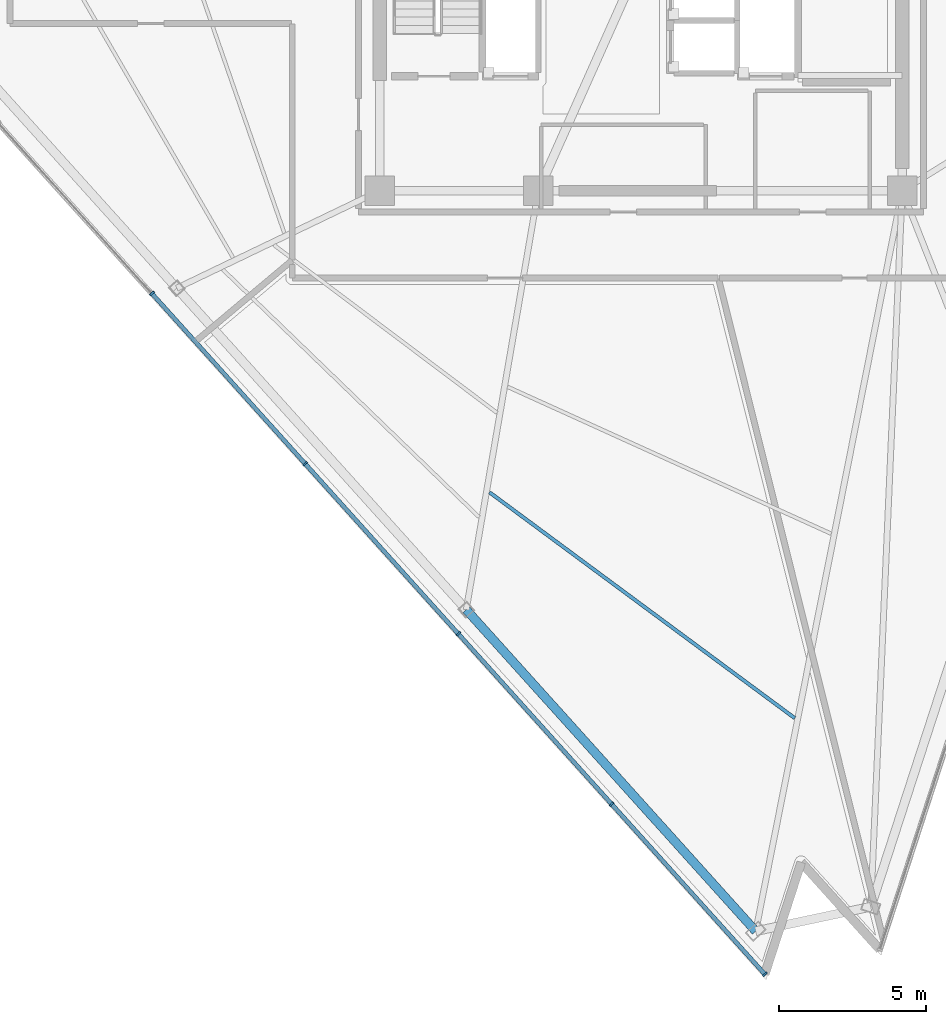
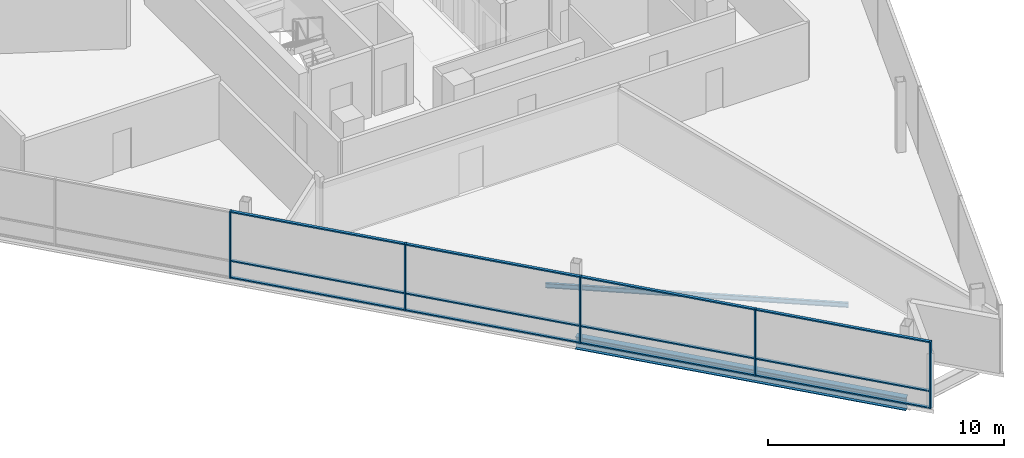
# One storey, part 2 of 15: 17 members, 2 beams, 1 element without a shape of its own.
"""IFC4 building model written with IfcOpenShell, lengths in metres."""

from ifc_helpers import new_model, si_unit, direction, frame, origin, origin_2d, place, context, subcontext, project, spatial, rectangle, i_section, extrude, material, layer, layer_set, material_profile, profile_set, type_object, element, aggregate, save


model = new_model("IFC4")

# Units and contexts
model_context = context("Model", 3, precision=1e-05, world=origin(), true_north=direction((0.0, 1.0)))
body_context = subcontext(model_context, "Body", "Model", "MODEL_VIEW")
ifc_project = project(units=[si_unit("LENGTHUNIT", "METRE"), si_unit("AREAUNIT", "SQUARE_METRE"), si_unit("VOLUMEUNIT", "CUBIC_METRE"), si_unit("PLANEANGLEUNIT", "RADIAN"), si_unit("MASSUNIT", "GRAM", prefix="KILO")], contexts=[model_context])

# Site, building, storey
site_placement = place(None, origin())
site = spatial("IfcSite", under=ifc_project, at=site_placement, CompositionType="ELEMENT")
building_placement = place(site_placement, origin())
building = spatial("IfcBuilding", under=site, at=building_placement, Name="Tharavind Bronze Gate", CompositionType="ELEMENT")
storey_placement = place(building_placement, frame((0.0, 0.0, 290.699951171875)))
storey = spatial("IfcBuildingStorey", under=building, at=storey_placement, Name="L75", CompositionType="ELEMENT", Elevation=290.699951171875)

# Curtain wall, members
ifc_material_1 = material(Name="Anodised Bronze Aluminium", Category="aluminium")
ifc_layer = layer(ifc_material_1, 0.219970703125)
ifc_layer_set = layer_set([ifc_layer], Name="Anodised Bronze Aluminium")
curtain_wall_type = type_object("IfcCurtainWallType", Name="UNITISED CURTAIN WALL CROWN", PredefinedType="USERDEFINED", material=ifc_layer_set)
curtain_wall_placement = place(storey_placement, origin())
curtain_wall = element("IfcCurtainWall", 1, at=curtain_wall_placement, inside=storey, type_object=curtain_wall_type, Name="L75 unitised curtain wall crown CW-L75-S1", ObjectType="UNITISED CURTAIN WALL", PredefinedType="USERDEFINED")
member_type_1 = type_object("IfcMemberType", Name="CURTAIN WALL BRONZE MULLION 65X180", PredefinedType="MULLION", material=ifc_material_1)
member_1_placement = place(storey_placement, frame((-16.663330078125, -11.101806640625, 0.0), z_axis=(0.0, 0.0, 1.0), x_axis=(0.669130606359, -0.743144825477, 0.0)))
member_1 = element("IfcMember", 2, at=member_1_placement, type_object=member_type_1, Name="CW-L75-S1 mullion 3", PredefinedType="MULLION", context=body_context, shape_type="SweptSolid", body=[
    extrude(rectangle(XDim=0.06494140625, YDim=0.179931640625, at=origin_2d()), origin(), (0.0, 0.0, 1.0), 3.465087890625),
])
member_2_placement = place(storey_placement, frame((-11.442138671875, -16.900390625, 0.0), z_axis=(0.0, 0.0, 1.0), x_axis=(0.669130606359, -0.743144825477, 0.0)))
member_2 = element("IfcMember", 3, at=member_2_placement, type_object=member_type_1, Name="CW-L75-S1 mullion 4", PredefinedType="MULLION", context=body_context, shape_type="SweptSolid", body=[
    extrude(rectangle(XDim=0.06494140625, YDim=0.179931640625, at=origin_2d()), origin(), (0.0, 0.0, 1.0), 3.465087890625),
])
member_3_placement = place(storey_placement, frame((-6.22119140625, -22.698974609375, 0.0), z_axis=(0.0, 0.0, 1.0), x_axis=(0.669130606359, -0.743144825477, 0.0)))
member_3 = element("IfcMember", 4, at=member_3_placement, type_object=member_type_1, Name="CW-L75-S1 mullion 5", PredefinedType="MULLION", context=body_context, shape_type="SweptSolid", body=[
    extrude(rectangle(XDim=0.06494140625, YDim=0.179931640625, at=origin_2d()), origin(), (0.0, 0.0, 1.0), 3.465087890625),
])
member_4_placement = place(storey_placement, frame((-1.000244140625, -28.49755859375, 0.0), z_axis=(0.0, 0.0, 1.0), x_axis=(0.669130606359, -0.743144825477, 0.0)))
member_4 = element("IfcMember", 5, at=member_4_placement, type_object=member_type_1, Name="CW-L75-S1 mullion 6", PredefinedType="MULLION", context=body_context, shape_type="SweptSolid", body=[
    extrude(rectangle(XDim=0.06494140625, YDim=0.179931640625, at=origin_2d()), origin(), (0.0, 0.0, 1.0), 3.465087890625),
])
member_5_placement = place(storey_placement, frame((4.220703125, -34.2958984375, 0.0), z_axis=(0.0, 0.0, 1.0), x_axis=(0.669130606359, -0.743144825477, 0.0)))
member_5 = element("IfcMember", 6, at=member_5_placement, type_object=member_type_1, Name="CW-L75-S1 mullion 7", PredefinedType="MULLION", context=body_context, shape_type="SweptSolid", body=[
    extrude(rectangle(XDim=0.06494140625, YDim=0.179931640625, at=origin_2d()), origin(), (0.0, 0.0, 1.0), 3.465087890625),
])
member_type_2 = type_object("IfcMemberType", Name="CURTAIN WALL BRONZE TRANSOM 65X140", PredefinedType="USERDEFINED", material=ifc_material_1)
member_6_placement = place(storey_placement, frame((-14.052734375, -14.001220703125, 0.0), z_axis=(0.0, 0.0, 1.0), x_axis=(0.669130606359, -0.743144825477, 0.0)))
member_6 = element("IfcMember", 7, at=member_6_placement, type_object=member_type_2, Name="CW-L75-S1 transom TB3", ObjectType="TRANSOM", PredefinedType="USERDEFINED", context=body_context, shape_type="SweptSolid", body=[
    extrude(rectangle(XDim=7.749755859375, YDim=0.139892578125, at=origin_2d()), origin(), (0.0, 0.0, 1.0), 0.06494140625),
])
member_7_placement = place(storey_placement, frame((-14.052734375, -14.001220703125, 0.86767578125), z_axis=(0.0, 0.0, 1.0), x_axis=(0.669130606359, -0.743144825477, 0.0)))
member_7 = element("IfcMember", 8, at=member_7_placement, type_object=member_type_2, Name="CW-L75-S1 transom TS3", ObjectType="TRANSOM", PredefinedType="USERDEFINED", context=body_context, shape_type="SweptSolid", body=[
    extrude(rectangle(XDim=7.749755859375, YDim=0.139892578125, at=origin_2d()), origin(), (0.0, 0.0, 1.0), 0.06494140625),
])
member_8_placement = place(storey_placement, frame((-14.052734375, -14.001220703125, 3.400146484375), z_axis=(0.0, 0.0, 1.0), x_axis=(0.669130606359, -0.743144825477, 0.0)))
member_8 = element("IfcMember", 9, at=member_8_placement, type_object=member_type_2, Name="CW-L75-S1 transom TT3", ObjectType="TRANSOM", PredefinedType="USERDEFINED", context=body_context, shape_type="SweptSolid", body=[
    extrude(rectangle(XDim=7.749755859375, YDim=0.139892578125, at=origin_2d()), origin(), (0.0, 0.0, 1.0), 0.06494140625),
])
member_9_placement = place(storey_placement, frame((-8.831787109375, -19.7998046875, 0.0), z_axis=(0.0, 0.0, 1.0), x_axis=(0.669130606359, -0.743144825477, 0.0)))
member_9 = element("IfcMember", 10, at=member_9_placement, type_object=member_type_2, Name="CW-L75-S1 transom TB4", ObjectType="TRANSOM", PredefinedType="USERDEFINED", context=body_context, shape_type="SweptSolid", body=[
    extrude(rectangle(XDim=7.749755859375, YDim=0.139892578125, at=origin_2d()), origin(), (0.0, 0.0, 1.0), 0.06494140625),
])
member_10_placement = place(storey_placement, frame((-8.831787109375, -19.7998046875, 0.86767578125), z_axis=(0.0, 0.0, 1.0), x_axis=(0.669130606359, -0.743144825477, 0.0)))
member_10 = element("IfcMember", 11, at=member_10_placement, type_object=member_type_2, Name="CW-L75-S1 transom TS4", ObjectType="TRANSOM", PredefinedType="USERDEFINED", context=body_context, shape_type="SweptSolid", body=[
    extrude(rectangle(XDim=7.749755859375, YDim=0.139892578125, at=origin_2d()), origin(), (0.0, 0.0, 1.0), 0.06494140625),
])
member_11_placement = place(storey_placement, frame((-8.831787109375, -19.7998046875, 3.400146484375), z_axis=(0.0, 0.0, 1.0), x_axis=(0.669130606359, -0.743144825477, 0.0)))
member_11 = element("IfcMember", 12, at=member_11_placement, type_object=member_type_2, Name="CW-L75-S1 transom TT4", ObjectType="TRANSOM", PredefinedType="USERDEFINED", context=body_context, shape_type="SweptSolid", body=[
    extrude(rectangle(XDim=7.749755859375, YDim=0.139892578125, at=origin_2d()), origin(), (0.0, 0.0, 1.0), 0.06494140625),
])
member_12_placement = place(storey_placement, frame((-3.610595703125, -25.59814453125, 0.0), z_axis=(0.0, 0.0, 1.0), x_axis=(0.669130606359, -0.743144825477, 0.0)))
member_12 = element("IfcMember", 13, at=member_12_placement, type_object=member_type_2, Name="CW-L75-S1 transom TB5", ObjectType="TRANSOM", PredefinedType="USERDEFINED", context=body_context, shape_type="SweptSolid", body=[
    extrude(rectangle(XDim=7.749755859375, YDim=0.139892578125, at=origin_2d()), origin(), (0.0, 0.0, 1.0), 0.06494140625),
])
member_13_placement = place(storey_placement, frame((-3.610595703125, -25.59814453125, 0.86767578125), z_axis=(0.0, 0.0, 1.0), x_axis=(0.669130606359, -0.743144825477, 0.0)))
member_13 = element("IfcMember", 14, at=member_13_placement, type_object=member_type_2, Name="CW-L75-S1 transom TS5", ObjectType="TRANSOM", PredefinedType="USERDEFINED", context=body_context, shape_type="SweptSolid", body=[
    extrude(rectangle(XDim=7.749755859375, YDim=0.139892578125, at=origin_2d()), origin(), (0.0, 0.0, 1.0), 0.06494140625),
])
member_14_placement = place(storey_placement, frame((-3.610595703125, -25.59814453125, 3.400146484375), z_axis=(0.0, 0.0, 1.0), x_axis=(0.669130606359, -0.743144825477, 0.0)))
member_14 = element("IfcMember", 15, at=member_14_placement, type_object=member_type_2, Name="CW-L75-S1 transom TT5", ObjectType="TRANSOM", PredefinedType="USERDEFINED", context=body_context, shape_type="SweptSolid", body=[
    extrude(rectangle(XDim=7.749755859375, YDim=0.139892578125, at=origin_2d()), origin(), (0.0, 0.0, 1.0), 0.06494140625),
])
member_15_placement = place(storey_placement, frame((1.6103515625, -31.396728515625, 0.0), z_axis=(0.0, 0.0, 1.0), x_axis=(0.669130606359, -0.743144825477, 0.0)))
member_15 = element("IfcMember", 16, at=member_15_placement, type_object=member_type_2, Name="CW-L75-S1 transom TB6", ObjectType="TRANSOM", PredefinedType="USERDEFINED", context=body_context, shape_type="SweptSolid", body=[
    extrude(rectangle(XDim=7.749755859375, YDim=0.139892578125, at=origin_2d()), origin(), (0.0, 0.0, 1.0), 0.06494140625),
])
member_16_placement = place(storey_placement, frame((1.6103515625, -31.396728515625, 0.86767578125), z_axis=(0.0, 0.0, 1.0), x_axis=(0.669130606359, -0.743144825477, 0.0)))
member_16 = element("IfcMember", 17, at=member_16_placement, type_object=member_type_2, Name="CW-L75-S1 transom TS6", ObjectType="TRANSOM", PredefinedType="USERDEFINED", context=body_context, shape_type="SweptSolid", body=[
    extrude(rectangle(XDim=7.749755859375, YDim=0.139892578125, at=origin_2d()), origin(), (0.0, 0.0, 1.0), 0.06494140625),
])
member_17_placement = place(storey_placement, frame((1.6103515625, -31.396728515625, 3.400146484375), z_axis=(0.0, 0.0, 1.0), x_axis=(0.669130606359, -0.743144825477, 0.0)))
member_17 = element("IfcMember", 18, at=member_17_placement, type_object=member_type_2, Name="CW-L75-S1 transom TT6", ObjectType="TRANSOM", PredefinedType="USERDEFINED", context=body_context, shape_type="SweptSolid", body=[
    extrude(rectangle(XDim=7.749755859375, YDim=0.139892578125, at=origin_2d()), origin(), (0.0, 0.0, 1.0), 0.06494140625),
])
aggregate(curtain_wall, [member_1, member_2, member_3, member_4, member_5, member_6, member_7, member_8, member_9, member_10, member_11, member_12, member_13, member_14, member_15, member_16, member_17])

# Beams
ifc_material_2 = material(Name="Steel S355", Category="steel")
ifc_material_profile_1 = material_profile(ifc_material_2, i_section(OverallWidth=0.300048828125, OverallDepth=0.64990234375, WebThickness=0.01611328125, FlangeThickness=0.031005859375, at=origin_2d()), Name="HE650B")
ifc_profile_set_1 = profile_set([ifc_material_profile_1], Name="Steel S355")
beam_type_1 = type_object("IfcBeamType", Name="PRIMARY GIRDER HE650B", PredefinedType="USERDEFINED", material=ifc_profile_set_1)
beam_1_placement = place(storey_placement, frame((-5.95361328125, -21.875244140625, -0.510009765625), z_axis=(0.669134014343, -0.7431417569, 0.0), x_axis=(0.7431417569, 0.669134014343, 0.0)))
element("IfcBeam", 19, at=beam_1_placement, inside=storey, type_object=beam_type_1, Name="L75 primary girder he650b BM-L75-PRG03", ObjectType="GIRDER", PredefinedType="USERDEFINED", context=body_context, shape_type="SweptSolid", body=[
    extrude(i_section(OverallWidth=0.300048828125, OverallDepth=0.64990234375, WebThickness=0.01611328125, FlangeThickness=0.031005859375, at=origin_2d()), origin(), (0.0, 0.0, 1.0), 14.7392578125),
])
ifc_material_profile_2 = material_profile(ifc_material_2, i_section(OverallWidth=0.1201171875, OverallDepth=0.239990234375, WebThickness=0.006103515625, FlangeThickness=0.009765625, at=origin_2d()), Name="IPE240")
ifc_profile_set_2 = profile_set([ifc_material_profile_2], Name="Steel S355")
beam_type_2 = type_object("IfcBeamType", Name="SECONDARY FLOOR JOIST IPE240", PredefinedType="JOIST", material=ifc_profile_set_2)
beam_2_placement = place(storey_placement, frame((-5.1611328125, -17.875732421875, -0.304931640625), z_axis=(0.803905058173, -0.594757645973, 0.0), x_axis=(0.594757645973, 0.803905058173, 0.0)))
element("IfcBeam", 20, at=beam_2_placement, inside=storey, type_object=beam_type_2, Name="L75 secondary floor joist ipe240 BM-L75-JSTB03", PredefinedType="JOIST", context=body_context, shape_type="SweptSolid", body=[
    extrude(i_section(OverallWidth=0.1201171875, OverallDepth=0.239990234375, WebThickness=0.006103515625, FlangeThickness=0.009765625, at=origin_2d()), origin(), (0.0, 0.0, 1.0), 12.937255859375),
])

save(model, "model.ifc")
